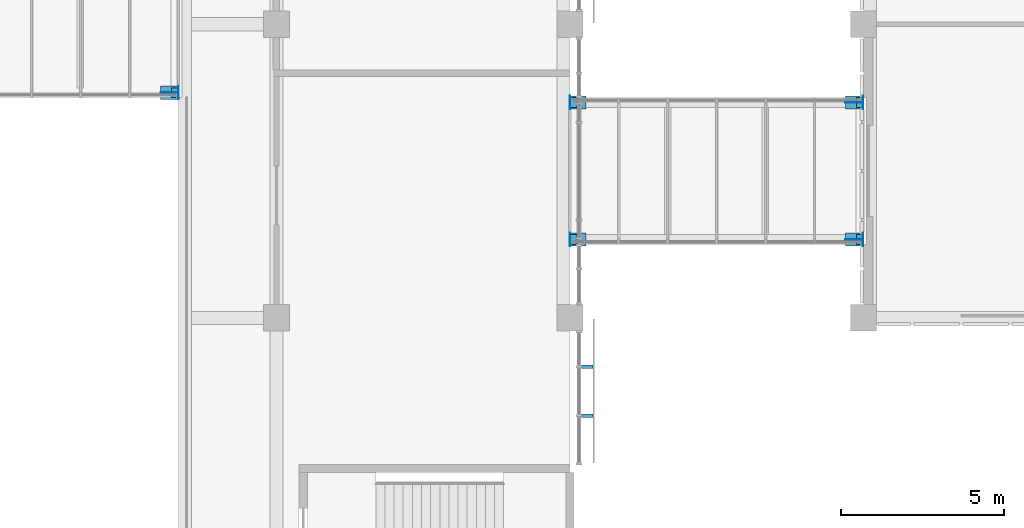
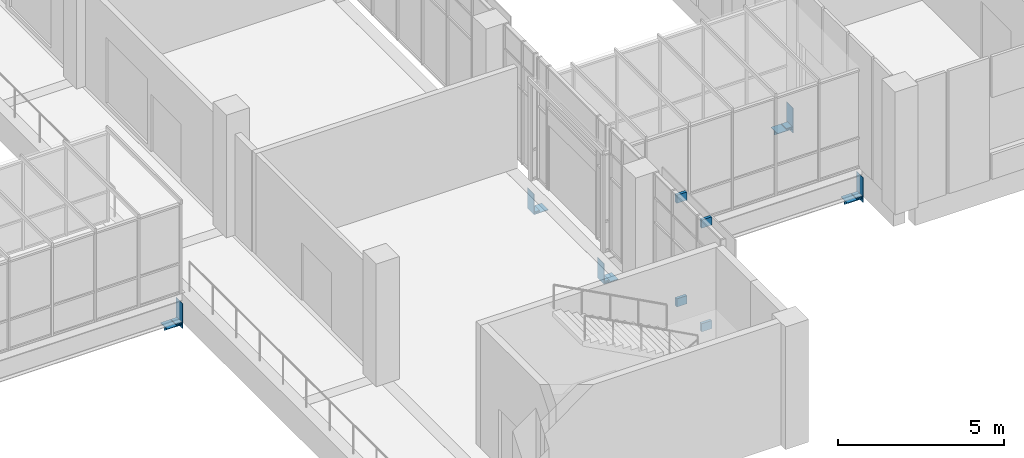
# One storey, part 74 of 88: 22 discrete accessories.
"""IFC4 building model written with IfcOpenShell, lengths in metres."""

from ifc_helpers import new_model, si_unit, direction, frame, origin, origin_2d, place, context, subcontext, project, spatial, rectangle, extrude, material, layer, layer_set, type_object, element, save


model = new_model("IFC4")

# Units and contexts
model_context = context("Model", 3, precision=1e-05, world=origin(), true_north=direction((0.0, 1.0)))
body_context = subcontext(model_context, "Body", "Model", "MODEL_VIEW")
ifc_project = project(units=[si_unit("LENGTHUNIT", "METRE"), si_unit("AREAUNIT", "SQUARE_METRE"), si_unit("VOLUMEUNIT", "CUBIC_METRE"), si_unit("PLANEANGLEUNIT", "RADIAN"), si_unit("MASSUNIT", "GRAM", prefix="KILO")], contexts=[model_context])

# Site, building, storey
site_placement = place(None, origin())
site = spatial("IfcSite", under=ifc_project, at=site_placement, CompositionType="ELEMENT")
building_placement = place(site_placement, origin())
building = spatial("IfcBuilding", under=site, at=building_placement, Name="Guidao Yard Department Store", CompositionType="ELEMENT")
storey_placement = place(building_placement, frame((0.0, 0.0, 6.0)))
storey = spatial("IfcBuildingStorey", under=building, at=storey_placement, Name="L01", CompositionType="ELEMENT", Elevation=6.0)

# Discrete accessories
ifc_material_1 = material(Name="Steel Q355B", Category="steel")
discrete_accessory_type_1 = type_object("IfcDiscreteAccessoryType", Name="Bracket BR2 steel plate", PredefinedType="BRACKET", material=ifc_material_1)
for number, where, z_axis, x_axis, name in (
    (1, (108.534912109375, 51.0, 0.2001953125), (0.0, 0.0, 1.0), (0.0, -1.0, 0.0), "Screen bracket"),
    (2, (108.534912109375, 51.0, 4.0), (0.0, 0.0, 1.0), (0.0, -1.0, 0.0), "Screen bracket"),
    (3, (108.534912109375, 52.5, 0.2001953125), (0.0, 0.0, 1.0), (0.0, -1.0, 0.0), "Screen bracket"),
    (4, (108.534912109375, 52.5, 4.0), (0.0, 0.0, 1.0), (0.0, -1.0, 0.0), "Screen bracket"),
):
    element("IfcDiscreteAccessory", number, at=place(storey_placement, frame(where, z_axis=z_axis, x_axis=x_axis)), inside=storey, type_object=discrete_accessory_type_1, Name=name, PredefinedType="BRACKET", context=body_context, shape_type="SweptSolid", body=[
        extrude(rectangle(XDim=0.10009765625, YDim=0.35009765625, at=origin_2d()), origin(), (0.0, 0.0, 1.0), 0.300048828125),
    ])
ifc_material_2 = material(Name="Steel Q355B", Category="steel")
ifc_layer_1 = layer(ifc_material_2, 0.014892578125)
ifc_layer_set_1 = layer_set([ifc_layer_1], Name="Bridge girder back plate SB1 steel")
discrete_accessory_type_2 = type_object("IfcDiscreteAccessoryType", Name="Bridge girder back plate SB1 steel", PredefinedType="BRACKET", material=ifc_layer_set_1)
discrete_accessory_1_placement = place(storey_placement, frame((116.992431640625, 56.39990234375, -1.259765625), z_axis=(0.0, 0.0, 1.0), x_axis=(1.0, 0.0, 0.0)))
element("IfcDiscreteAccessory", 5, at=discrete_accessory_1_placement, inside=storey, type_object=discrete_accessory_type_2, Name="Bridge girder back plate BR06S S", PredefinedType="BRACKET", context=body_context, shape_type="SweptSolid", body=[
    extrude(rectangle(XDim=0.014892578125, YDim=0.39990234375, at=origin_2d()), origin(), (0.0, 0.0, 1.0), 0.909912109375),
])
discrete_accessory_2_placement = place(storey_placement, frame((108.007568359375, 56.39990234375, -1.10986328125), z_axis=(0.0, 0.0, 1.0), x_axis=(1.0, 0.0, 0.0)))
element("IfcDiscreteAccessory", 6, at=discrete_accessory_2_placement, inside=storey, type_object=discrete_accessory_type_2, Name="Bridge girder back plate BR06S F", PredefinedType="BRACKET", context=body_context, shape_type="SweptSolid", body=[
    extrude(rectangle(XDim=0.014892578125, YDim=0.39990234375, at=origin_2d()), origin(), (0.0, 0.0, 1.0), 0.760009765625),
])
discrete_accessory_3_placement = place(storey_placement, frame((116.992431640625, 60.60009765625, -1.259765625), z_axis=(0.0, 0.0, 1.0), x_axis=(1.0, 0.0, 0.0)))
element("IfcDiscreteAccessory", 7, at=discrete_accessory_3_placement, inside=storey, type_object=discrete_accessory_type_2, Name="Bridge girder back plate BR06N S", PredefinedType="BRACKET", context=body_context, shape_type="SweptSolid", body=[
    extrude(rectangle(XDim=0.014892578125, YDim=0.39990234375, at=origin_2d()), origin(), (0.0, 0.0, 1.0), 0.909912109375),
])
discrete_accessory_4_placement = place(storey_placement, frame((108.007568359375, 60.60009765625, -1.10986328125), z_axis=(0.0, 0.0, 1.0), x_axis=(1.0, 0.0, 0.0)))
element("IfcDiscreteAccessory", 8, at=discrete_accessory_4_placement, inside=storey, type_object=discrete_accessory_type_2, Name="Bridge girder back plate BR06N F", PredefinedType="BRACKET", context=body_context, shape_type="SweptSolid", body=[
    extrude(rectangle(XDim=0.014892578125, YDim=0.39990234375, at=origin_2d()), origin(), (0.0, 0.0, 1.0), 0.760009765625),
])
discrete_accessory_5_placement = place(storey_placement, frame((95.992431640625, 60.89990234375, -1.259765625), z_axis=(0.0, 0.0, 1.0), x_axis=(1.0, 0.0, 0.0)))
element("IfcDiscreteAccessory", 9, at=discrete_accessory_5_placement, inside=storey, type_object=discrete_accessory_type_2, Name="Bridge girder back plate BR09S S", PredefinedType="BRACKET", context=body_context, shape_type="SweptSolid", body=[
    extrude(rectangle(XDim=0.014892578125, YDim=0.39990234375, at=origin_2d()), origin(), (0.0, 0.0, 1.0), 0.909912109375),
])
ifc_material_3 = material(Name="Steel Q355B", Category="steel")
ifc_layer_2 = layer(ifc_material_3, 0.0400390625)
ifc_layer_set_2 = layer_set([ifc_layer_2], Name="Bridge girder pinned bearing BP1 steel")
discrete_accessory_type_3 = type_object("IfcDiscreteAccessoryType", Name="Bridge girder pinned bearing BP1 steel", PredefinedType="SHOE", material=ifc_layer_set_2)
for number, where, z_axis, x_axis, name in (
    (10, (108.114990234375, 56.39990234375, -1.090087890625), (0.0, 0.0, 1.0), (1.0, 0.0, 0.0), "Bridge girder pinned bearing BR06S"),
    (11, (108.114990234375, 60.60009765625, -1.090087890625), (0.0, 0.0, 1.0), (1.0, 0.0, 0.0), "Bridge girder pinned bearing BR06N"),
):
    element("IfcDiscreteAccessory", number, at=place(storey_placement, frame(where, z_axis=z_axis, x_axis=x_axis)), inside=storey, type_object=discrete_accessory_type_3, Name=name, PredefinedType="SHOE", context=body_context, shape_type="SweptSolid", body=[
        extrude(rectangle(XDim=0.199951171875, YDim=0.300048828125, at=origin_2d()), origin(), (0.0, 0.0, 1.0), 0.0400390625),
    ])
ifc_material_4 = material(Name="Steel Q355B", Category="steel")
ifc_layer_3 = layer(ifc_material_4, 0.02001953125)
ifc_layer_set_3 = layer_set([ifc_layer_3], Name="Bridge girder seat plate SP1 steel 500")
discrete_accessory_type_4 = type_object("IfcDiscreteAccessoryType", Name="Bridge girder seat plate SP1 steel 500", PredefinedType="BRACKET", material=ifc_layer_set_3)
for number, where, z_axis, x_axis, name in (
    (12, (108.257568359375, 56.39990234375, -1.110107421875), (0.0, 0.0, 1.0), (1.0, 0.0, 0.0), "Bridge girder seat plate BR06S F"),
    (13, (108.257568359375, 60.60009765625, -1.110107421875), (0.0, 0.0, 1.0), (1.0, 0.0, 0.0), "Bridge girder seat plate BR06N F"),
):
    element("IfcDiscreteAccessory", number, at=place(storey_placement, frame(where, z_axis=z_axis, x_axis=x_axis)), inside=storey, type_object=discrete_accessory_type_4, Name=name, PredefinedType="BRACKET", context=body_context, shape_type="SweptSolid", body=[
        extrude(rectangle(XDim=0.485107421875, YDim=0.39990234375, at=origin_2d()), origin(), (0.0, 0.0, 1.0), 0.02001953125),
    ])
ifc_material_5 = material(Name="Steel Q355B", Category="steel")
ifc_layer_4 = layer(ifc_material_5, 0.02001953125)
ifc_layer_set_4 = layer_set([ifc_layer_4], Name="Bridge girder seat plate SP1 steel 550")
discrete_accessory_type_5 = type_object("IfcDiscreteAccessoryType", Name="Bridge girder seat plate SP1 steel 550", PredefinedType="BRACKET", material=ifc_layer_set_4)
for number, where, z_axis, x_axis, name in (
    (14, (116.717529296875, 56.39990234375, -1.110107421875), (0.0, 0.0, 1.0), (1.0, 0.0, 0.0), "Bridge girder seat plate BR06S S"),
    (15, (116.717529296875, 60.60009765625, -1.110107421875), (0.0, 0.0, 1.0), (1.0, 0.0, 0.0), "Bridge girder seat plate BR06N S"),
    (16, (95.717529296875, 60.89990234375, -1.110107421875), (0.0, 0.0, 1.0), (1.0, 0.0, 0.0), "Bridge girder seat plate BR09S S"),
):
    element("IfcDiscreteAccessory", number, at=place(storey_placement, frame(where, z_axis=z_axis, x_axis=x_axis)), inside=storey, type_object=discrete_accessory_type_5, Name=name, PredefinedType="BRACKET", context=body_context, shape_type="SweptSolid", body=[
        extrude(rectangle(XDim=0.534912109375, YDim=0.39990234375, at=origin_2d()), origin(), (0.0, 0.0, 1.0), 0.02001953125),
    ])
ifc_material_6 = material(Name="Steel Q355B", Category="steel")
ifc_layer_5 = layer(ifc_material_6, 0.01611328125)
ifc_layer_set_5 = layer_set([ifc_layer_5], Name="Bridge girder seat rib SR1 steel 16")
discrete_accessory_type_6 = type_object("IfcDiscreteAccessoryType", Name="Bridge girder seat rib SR1 steel 16", PredefinedType="BRACKET", material=ifc_layer_set_5)
for number, where, z_axis, x_axis, name in (
    (17, (116.7099609375, 56.39990234375, -1.260009765625), (0.0, 0.0, 1.0), (1.0, 0.0, 0.0), "Bridge girder seat rib BR06S S"),
    (18, (116.7099609375, 60.60009765625, -1.260009765625), (0.0, 0.0, 1.0), (1.0, 0.0, 0.0), "Bridge girder seat rib BR06N S"),
    (19, (95.7099609375, 60.89990234375, -1.260009765625), (0.0, 0.0, 1.0), (1.0, 0.0, 0.0), "Bridge girder seat rib BR09S S"),
):
    element("IfcDiscreteAccessory", number, at=place(storey_placement, frame(where, z_axis=z_axis, x_axis=x_axis)), inside=storey, type_object=discrete_accessory_type_6, Name=name, PredefinedType="BRACKET", context=body_context, shape_type="SweptSolid", body=[
        extrude(rectangle(XDim=0.52001953125, YDim=0.01611328125, at=origin_2d()), origin(), (0.0, 0.0, 1.0), 0.14990234375),
    ])
ifc_material_7 = material(Name="Steel Q355B", Category="steel")
ifc_layer_6 = layer(ifc_material_7, 0.0400390625)
ifc_layer_set_6 = layer_set([ifc_layer_6], Name="Bridge girder sliding bearing BS1 PTFE on steel")
discrete_accessory_type_7 = type_object("IfcDiscreteAccessoryType", Name="Bridge girder sliding bearing BS1 PTFE on steel", PredefinedType="SHOE", material=ifc_layer_set_6)
for number, where, z_axis, x_axis, name in (
    (20, (116.885009765625, 56.39990234375, -1.090087890625), (0.0, 0.0, 1.0), (1.0, 0.0, 0.0), "Bridge girder sliding bearing BR06S"),
    (21, (116.885009765625, 60.60009765625, -1.090087890625), (0.0, 0.0, 1.0), (1.0, 0.0, 0.0), "Bridge girder sliding bearing BR06N"),
    (22, (95.885009765625, 60.89990234375, -1.090087890625), (0.0, 0.0, 1.0), (1.0, 0.0, 0.0), "Bridge girder sliding bearing BR09S"),
):
    element("IfcDiscreteAccessory", number, at=place(storey_placement, frame(where, z_axis=z_axis, x_axis=x_axis)), inside=storey, type_object=discrete_accessory_type_7, Name=name, PredefinedType="SHOE", context=body_context, shape_type="SweptSolid", body=[
        extrude(rectangle(XDim=0.199951171875, YDim=0.300048828125, at=origin_2d()), origin(), (0.0, 0.0, 1.0), 0.0400390625),
    ])

save(model, "model.ifc")
